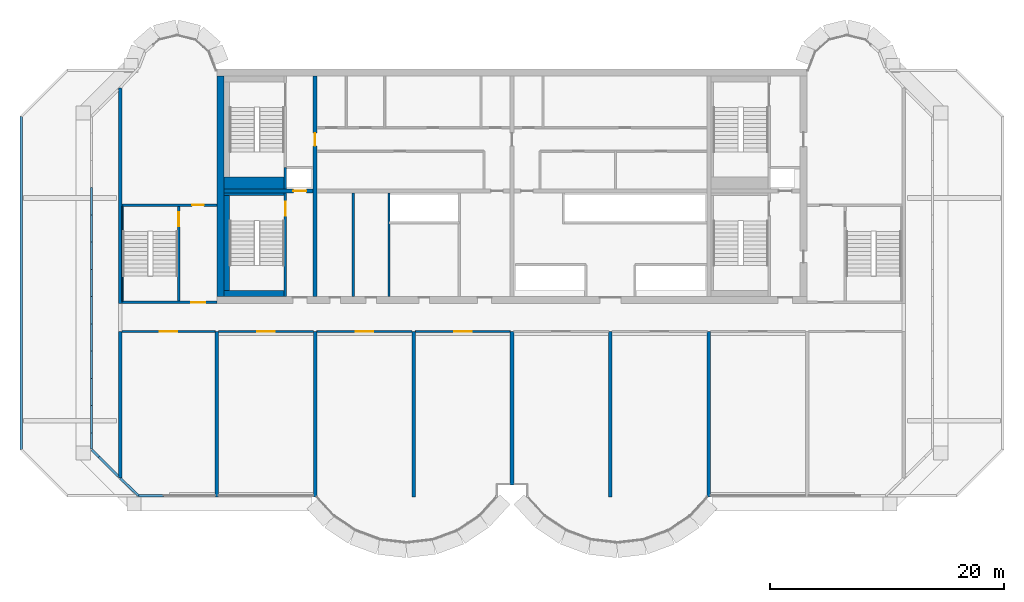
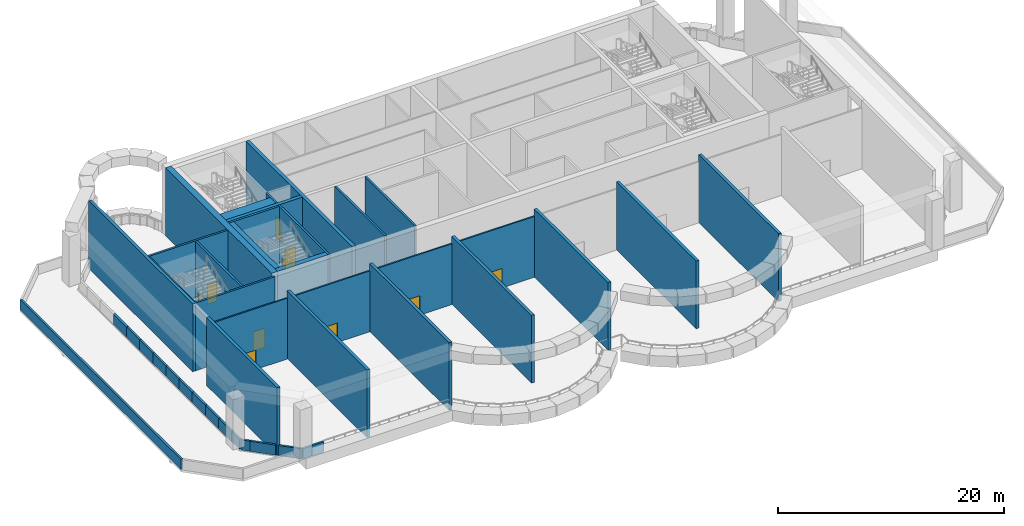
# One storey, part 2 of 11: 42 walls, 10 doors, 10 openings.
"""IFC4 building model written with IfcOpenShell, lengths in metres."""

from ifc_helpers import new_model, si_unit, direction, frame, frame_2d, origin, place, context, subcontext, project, spatial, rectangle, extrude, source, transform, mapped, material, layer, layer_set, type_object, element, fill, save


model = new_model("IFC4")

# Units and contexts
model_context = context("Model", 3, precision=1e-05, world=origin(), true_north=direction((0.0, 1.0)))
body_context = subcontext(model_context, "Body", "Model", "MODEL_VIEW")
ifc_project = project(units=[si_unit("LENGTHUNIT", "METRE"), si_unit("AREAUNIT", "SQUARE_METRE"), si_unit("VOLUMEUNIT", "CUBIC_METRE"), si_unit("PLANEANGLEUNIT", "RADIAN"), si_unit("MASSUNIT", "GRAM", prefix="KILO")], contexts=[model_context])

# Site, building, storey
site_placement = place(None, origin())
site = spatial("IfcSite", under=ifc_project, at=site_placement, CompositionType="ELEMENT")
building_placement = place(site_placement, origin())
building = spatial("IfcBuilding", under=site, at=building_placement, Name="Vanashikhar Sky Hotel", CompositionType="ELEMENT")
storey_placement = place(building_placement, frame((0.0, 0.0, 206.39990234375)))
storey = spatial("IfcBuildingStorey", under=building, at=storey_placement, Name="L50", CompositionType="ELEMENT", Elevation=206.39990234375)

# Wall
ifc_material_1 = material(Name="Concrete M60", Category="concrete")
ifc_layer_1 = layer(ifc_material_1, 0.60009765625)
ifc_layer_set_1 = layer_set([ifc_layer_1], Name="RC core shell wall 600 Concrete M60")
wall_type_1 = type_object("IfcWallType", Name="RC core shell wall 600 Concrete M60", PredefinedType="SHEAR", material=ifc_layer_set_1)
shared_shape_1 = source(origin(), body_context, "Body", "SweptSolid", [
    extrude(rectangle(XDim=18.7998046875, YDim=0.60009765625, at=frame_2d((9.39990234375, 0.0))), origin(), (0.0, 0.0, 1.0), 7.320068359375),
])
wall_1_placement = place(storey_placement, frame((25.5, 22.60009765625, 0.0), z_axis=(0.0, 0.0, 1.0), x_axis=(0.0, 1.0, 0.0)))
element("IfcWall", 1, at=wall_1_placement, inside=storey, type_object=wall_type_1, Name="KW-L50-KW", PredefinedType="SHEAR", context=body_context, shape_type="MappedRepresentation", body=[
    mapped(shared_shape_1, transform((0.0, 0.0, 0.0), scale=1.0)),
])

# Wall, opening, door
ifc_layer_2 = layer(ifc_material_1, 0.35009765625)
ifc_layer_set_2 = layer_set([ifc_layer_2], Name="RC core inner wall 350 Concrete M60")
wall_type_2 = type_object("IfcWallType", Name="RC core inner wall 350 Concrete M60", PredefinedType="SHEAR", material=ifc_layer_set_2)
shared_shape_2 = source(origin(), body_context, "Body", "SweptSolid", [
    extrude(rectangle(XDim=18.7998046875, YDim=0.35009765625, at=frame_2d((9.39990234375, 0.0))), origin(), (0.0, 0.0, 1.0), 7.320068359375),
])
wall_2_placement = place(storey_placement, frame((33.60009765625, 22.60009765625, 0.0), z_axis=(0.0, 0.0, 1.0), x_axis=(0.0, 1.0, 0.0)))
wall_2 = element("IfcWall", 2, at=wall_2_placement, inside=storey, type_object=wall_type_2, Name="KW-L50-KX1", PredefinedType="SHEAR", context=body_context, shape_type="MappedRepresentation", body=[
    mapped(shared_shape_2, transform((0.0, 0.0, 0.0), scale=1.0)),
])
shared_shape_3 = source(origin(), body_context, "Body", "SweptSolid", [
    extrude(rectangle(XDim=1.10009765625, YDim=2.10009765625, at=frame_2d((0.550048828125, 1.050048828125))), frame((0.0, 0.18505859375, 0.0), z_axis=(0.0, -1.0, 0.0), x_axis=(1.0, 0.0, 0.0)), (0.0, 0.0, 1.0), 0.3701171875),
])
opening_1_placement = place(wall_2_placement, frame((12.85009765625, 0.0, 0.0)))
opening_1 = element("IfcOpeningElement", 3, at=opening_1_placement, cuts=wall_2, Name="Opening DC-4-C", PredefinedType="OPENING", context=body_context, shape_type="MappedRepresentation", body=[
    mapped(shared_shape_3, transform((0.0, 0.0, 0.0), scale=1.0)),
])
ifc_material_2 = material(Name="Steel", Category="steel")
door_type_1 = type_object("IfcDoorType", Name="Service door 1100 FD60", OperationType="NOTDEFINED", PredefinedType="DOOR", material=ifc_material_2)
shared_shape_4 = source(origin(), body_context, "Body", "SweptSolid", [
    extrude(rectangle(XDim=1.10009765625, YDim=2.10009765625, at=frame_2d((0.550048828125, 1.050048828125))), frame((0.0, 0.02490234375, 0.0), z_axis=(0.0, -1.0, 0.0), x_axis=(1.0, 0.0, 0.0)), (0.0, 0.0, 1.0), 0.050048828125),
])
door_1_placement = place(opening_1_placement, origin())
door_1 = element("IfcDoor", 4, at=door_1_placement, inside=storey, type_object=door_type_1, Name="Service door 1100 FD60", OperationType="SINGLE_SWING_LEFT", OverallHeight=2.10009765625, OverallWidth=1.10009765625, PredefinedType="DOOR", context=body_context, shape_type="MappedRepresentation", body=[
    mapped(shared_shape_4, transform((0.0, 0.0, 0.0), scale=1.0)),
])
fill(opening_1, door_1)

shared_shape_5 = source(origin(), body_context, "Body", "SweptSolid", [
    extrude(rectangle(XDim=7.625, YDim=0.35009765625, at=frame_2d((3.8125, 0.0))), origin(), (0.0, 0.0, 1.0), 7.320068359375),
])
wall_3_placement = place(storey_placement, frame((25.800048828125, 31.60009765625, 0.0), z_axis=(0.0, 0.0, 1.0), x_axis=(1.0, 0.0, 0.0)))
wall_3 = element("IfcWall", 5, at=wall_3_placement, inside=storey, type_object=wall_type_2, Name="KW-L50-KY1", PredefinedType="SHEAR", context=body_context, shape_type="MappedRepresentation", body=[
    mapped(shared_shape_5, transform((0.0, 0.0, 0.0), scale=1.0)),
])
opening_2_placement = place(wall_3_placement, frame((5.93798828125, 0.0, 0.0)))
opening_2 = element("IfcOpeningElement", 6, at=opening_2_placement, cuts=wall_3, Name="Opening LD", PredefinedType="OPENING", context=body_context, shape_type="MappedRepresentation", body=[
    mapped(shared_shape_3, transform((0.0, 0.0, 0.0), scale=1.0)),
])
ifc_material_3 = material(Name="Stainless steel", Category="steel")
door_type_2 = type_object("IfcDoorType", Name="Lift landing door 1100", OperationType="NOTDEFINED", PredefinedType="DOOR", material=ifc_material_3)
door_2_placement = place(opening_2_placement, origin())
door_2 = element("IfcDoor", 7, at=door_2_placement, inside=storey, type_object=door_type_2, Name="Lift landing door 1100", OperationType="SLIDING_TO_LEFT", OverallHeight=2.10009765625, OverallWidth=1.10009765625, PredefinedType="DOOR", context=body_context, shape_type="MappedRepresentation", body=[
    mapped(shared_shape_4, transform((0.0, 0.0, 0.0), scale=1.0)),
])
fill(opening_2, door_2)

# Walls
ifc_layer_3 = layer(ifc_material_1, 0.300048828125)
ifc_layer_set_3 = layer_set([ifc_layer_3], Name="RC shear wall 300 Concrete M60")
wall_type_3 = type_object("IfcWallType", Name="RC shear wall 300 Concrete M60", PredefinedType="SHEAR", material=ifc_layer_set_3)
shared_shape_6 = source(origin(), body_context, "Body", "SweptSolid", [
    extrude(rectangle(XDim=12.5, YDim=0.300048828125, at=frame_2d((6.25, 0.0))), origin(), (0.0, 0.0, 1.0), 7.320068359375),
])
wall_4_placement = place(storey_placement, frame((16.949951171875, 7.10009765625, 0.0), z_axis=(0.0, 0.0, 1.0), x_axis=(0.0, 1.0, 0.0)))
element("IfcWall", 8, at=wall_4_placement, inside=storey, type_object=wall_type_3, Name="CW-L50-XW03-1", PredefinedType="SHEAR", context=body_context, shape_type="MappedRepresentation", body=[
    mapped(shared_shape_6, transform((0.0, 0.0, 0.0), scale=1.0)),
])
shared_shape_7 = source(origin(), body_context, "Body", "SweptSolid", [
    extrude(rectangle(XDim=18.39990234375, YDim=0.300048828125, at=frame_2d((9.199951171875, 0.0))), origin(), (0.0, 0.0, 1.0), 7.320068359375),
])
wall_5_placement = place(storey_placement, frame((16.949951171875, 22.0, 0.0), z_axis=(0.0, 0.0, 1.0), x_axis=(0.0, 1.0, 0.0)))
element("IfcWall", 9, at=wall_5_placement, inside=storey, type_object=wall_type_3, Name="CW-L50-XW03-2", PredefinedType="SHEAR", context=body_context, shape_type="MappedRepresentation", body=[
    mapped(shared_shape_7, transform((0.0, 0.0, 0.0), scale=1.0)),
])
shared_shape_8 = source(origin(), body_context, "Body", "SweptSolid", [
    extrude(rectangle(XDim=14.10009765625, YDim=0.300048828125, at=frame_2d((7.050048828125, 0.0))), origin(), (0.0, 0.0, 1.0), 7.320068359375),
])
for number, where, z_axis, x_axis, name in (
    (10, (25.199951171875, 5.5, 0.0), (0.0, 0.0, 1.0), (0.0, 1.0, 0.0), "CW-L50-XW04-1"),
    (11, (33.60009765625, 5.5, 0.0), (0.0, 0.0, 1.0), (0.0, 1.0, 0.0), "CW-L50-XW05-1"),
    (12, (42.0, 5.5, 0.0), (0.0, 0.0, 1.0), (0.0, 1.0, 0.0), "CW-L50-XW06-1"),
    (13, (58.800048828125, 5.5, 0.0), (0.0, 0.0, 1.0), (0.0, 1.0, 0.0), "CW-L50-XW08-1"),
    (14, (67.199951171875, 5.5, 0.0), (0.0, 0.0, 1.0), (0.0, 1.0, 0.0), "CW-L50-XW09-1"),
):
    element("IfcWall", number, at=place(storey_placement, frame(where, z_axis=z_axis, x_axis=x_axis)), inside=storey, type_object=wall_type_3, Name=name, PredefinedType="SHEAR", context=body_context, shape_type="MappedRepresentation", body=[
        mapped(shared_shape_8, transform((0.0, 0.0, 0.0), scale=1.0)),
    ])
shared_shape_9 = source(origin(), body_context, "Body", "SweptSolid", [
    extrude(rectangle(XDim=13.10009765625, YDim=0.300048828125, at=frame_2d((6.550048828125, 0.0))), origin(), (0.0, 0.0, 1.0), 7.320068359375),
])
wall_6_placement = place(storey_placement, frame((50.39990234375, 6.5, 0.0), z_axis=(0.0, 0.0, 1.0), x_axis=(0.0, 1.0, 0.0)))
element("IfcWall", 15, at=wall_6_placement, inside=storey, type_object=wall_type_3, Name="CW-L50-XW07-1", PredefinedType="SHEAR", context=body_context, shape_type="MappedRepresentation", body=[
    mapped(shared_shape_9, transform((0.0, 0.0, 0.0), scale=1.0)),
])
ifc_material_4 = material(Name="Concrete M50", Category="concrete")
ifc_layer_4 = layer(ifc_material_4, 0.199951171875)
ifc_layer_set_4 = layer_set([ifc_layer_4], Name="Parapet 200")
wall_type_4 = type_object("IfcWallType", Name="Parapet 200", PredefinedType="PARAPET", material=ifc_layer_set_4)
shared_shape_10 = source(origin(), body_context, "Body", "SweptSolid", [
    extrude(rectangle(XDim=2.32421875, YDim=0.199951171875, at=frame_2d((1.162109375, 0.0))), origin(), (0.0, 0.0, 1.0), 1.10009765625),
])
for number, where, z_axis, x_axis, name in (
    (16, (16.780029296875, 7.261474609375, 0.0), (0.0, 0.0, 1.0), (-0.707106781187, 0.707106781187, 0.0), "Floor edge parapet"),
    (17, (14.5, 13.290283203125, 0.0), (0.0, 0.0, 1.0), (0.0, 1.0, 0.0), "Floor edge parapet"),
    (18, (14.5, 22.587890625, 0.0), (0.0, 0.0, 1.0), (0.0, 1.0, 0.0), "Floor edge parapet"),
):
    element("IfcWall", number, at=place(storey_placement, frame(where, z_axis=z_axis, x_axis=x_axis)), inside=storey, type_object=wall_type_4, Name=name, PredefinedType="PARAPET", context=body_context, shape_type="MappedRepresentation", body=[
        mapped(shared_shape_10, transform((0.0, 0.0, 0.0), scale=1.0)),
    ])
shared_shape_11 = source(origin(), body_context, "Body", "SweptSolid", [
    extrude(rectangle(XDim=0.858642578125, YDim=0.199951171875, at=frame_2d((0.42919921875, 0.0))), origin(), (0.0, 0.0, 1.0), 1.10009765625),
])
wall_7_placement = place(storey_placement, frame((15.136474609375, 8.905029296875, 0.0), z_axis=(0.0, 0.0, 1.0), x_axis=(-0.707106781187, 0.707106781187, 0.0)))
element("IfcWall", 19, at=wall_7_placement, inside=storey, type_object=wall_type_4, Name="Floor edge parapet", PredefinedType="PARAPET", context=body_context, shape_type="MappedRepresentation", body=[
    mapped(shared_shape_11, transform((0.0, 0.0, 0.0), scale=1.0)),
])
shared_shape_12 = source(origin(), body_context, "Body", "SweptSolid", [
    extrude(rectangle(XDim=1.383056640625, YDim=0.199951171875, at=frame_2d((0.69140625, 0.0))), origin(), (0.0, 0.0, 1.0), 1.10009765625),
])
wall_8_placement = place(storey_placement, frame((14.5, 9.582763671875, 0.0), z_axis=(0.0, 0.0, 1.0), x_axis=(0.0, 1.0, 0.0)))
element("IfcWall", 20, at=wall_8_placement, inside=storey, type_object=wall_type_4, Name="Floor edge parapet", PredefinedType="PARAPET", context=body_context, shape_type="MappedRepresentation", body=[
    mapped(shared_shape_12, transform((0.0, 0.0, 0.0), scale=1.0)),
])
shared_shape_13 = source(origin(), body_context, "Body", "SweptSolid", [
    extrude(rectangle(XDim=2.324462890625, YDim=0.199951171875, at=frame_2d((1.162109375, 0.0))), origin(), (0.0, 0.0, 1.0), 1.10009765625),
])
for number, where, z_axis, x_axis, name in (
    (21, (14.5, 10.9658203125, 0.0), (0.0, 0.0, 1.0), (0.0, 1.0, 0.0), "Floor edge parapet"),
    (22, (14.5, 15.614501953125, 0.0), (0.0, 0.0, 1.0), (0.0, 1.0, 0.0), "Floor edge parapet"),
    (23, (14.5, 17.93896484375, 0.0), (0.0, 0.0, 1.0), (0.0, 1.0, 0.0), "Floor edge parapet"),
    (24, (14.5, 20.263427734375, 0.0), (0.0, 0.0, 1.0), (0.0, 1.0, 0.0), "Floor edge parapet"),
    (25, (14.5, 24.912109375, 0.0), (0.0, 0.0, 1.0), (0.0, 1.0, 0.0), "Floor edge parapet"),
    (26, (14.5, 27.236572265625, 0.0), (0.0, 0.0, 1.0), (0.0, 1.0, 0.0), "Floor edge parapet"),
    (27, (14.5, 29.56103515625, 0.0), (0.0, 0.0, 1.0), (0.0, 1.0, 0.0), "Floor edge parapet"),
):
    element("IfcWall", number, at=place(storey_placement, frame(where, z_axis=z_axis, x_axis=x_axis)), inside=storey, type_object=wall_type_4, Name=name, PredefinedType="PARAPET", context=body_context, shape_type="MappedRepresentation", body=[
        mapped(shared_shape_13, transform((0.0, 0.0, 0.0), scale=1.0)),
    ])
shared_shape_14 = source(origin(), body_context, "Body", "SweptSolid", [
    extrude(rectangle(XDim=2.17041015625, YDim=0.199951171875, at=frame_2d((1.085205078125, 0.0))), origin(), (0.0, 0.0, 1.0), 1.10009765625),
])
wall_9_placement = place(storey_placement, frame((20.689208984375, 5.60009765625, 0.0), z_axis=(0.0, 0.0, 1.0), x_axis=(-1.0, 0.0, 0.0)))
element("IfcWall", 28, at=wall_9_placement, inside=storey, type_object=wall_type_4, Name="Floor edge parapet", PredefinedType="PARAPET", context=body_context, shape_type="MappedRepresentation", body=[
    mapped(shared_shape_14, transform((0.0, 0.0, 0.0), scale=1.0)),
])
shared_shape_15 = source(origin(), body_context, "Body", "SweptSolid", [
    extrude(rectangle(XDim=2.1484375, YDim=0.199951171875, at=frame_2d((1.07421875, 0.0))), origin(), (0.0, 0.0, 1.0), 1.10009765625),
])
wall_10_placement = place(storey_placement, frame((18.518798828125, 5.60009765625, 0.0), z_axis=(0.0, 0.0, 1.0), x_axis=(-0.724888774008, 0.688865926953, 0.0)))
element("IfcWall", 29, at=wall_10_placement, inside=storey, type_object=wall_type_4, Name="Floor edge parapet", PredefinedType="PARAPET", context=body_context, shape_type="MappedRepresentation", body=[
    mapped(shared_shape_15, transform((0.0, 0.0, 0.0), scale=1.0)),
])
shared_shape_16 = source(origin(), body_context, "Body", "SweptSolid", [
    extrude(rectangle(XDim=28.4150390625, YDim=0.199951171875, at=frame_2d((14.20751953125, 0.0))), origin(), (0.0, 0.0, 1.0), 1.099853515625),
])
wall_11_placement = place(storey_placement, frame((8.501953125, 9.54248046875, -0.0498046875), z_axis=(0.0, 0.0, 1.0), x_axis=(0.0, 1.0, 0.0)))
element("IfcWall", 30, at=wall_11_placement, inside=storey, type_object=wall_type_4, Name="Roof parapet", PredefinedType="PARAPET", context=body_context, shape_type="MappedRepresentation", body=[
    mapped(shared_shape_16, transform((0.0, 0.0, 0.0), scale=1.0)),
])
ifc_material_5 = material(Name="Gypsum board partition")
ifc_layer_5 = layer(ifc_material_5, 0.14990234375)
ifc_layer_set_5 = layer_set([ifc_layer_5], Name="Service partition 150")
wall_type_5 = type_object("IfcWallType", Name="Service partition 150", PredefinedType="PARTITIONING", material=ifc_layer_set_5)
shared_shape_17 = source(origin(), body_context, "Body", "SweptSolid", [
    extrude(rectangle(XDim=8.824951171875, YDim=0.199951171875, at=frame_2d((4.41259765625, 0.0))), origin(), (0.0, 0.0, 1.0), 7.320068359375),
])
for number, where, z_axis, x_axis, name in (
    (31, (39.89990234375, 22.60009765625, 0.0), (0.0, 0.0, 1.0), (0.0, 1.0, 0.0), "Service partition 150"),
    (32, (36.8369140625, 22.60009765625, 0.0), (0.0, 0.0, 1.0), (0.0, 1.0, 0.0), "Service partition 150"),
):
    element("IfcWall", number, at=place(storey_placement, frame(where, z_axis=z_axis, x_axis=x_axis)), inside=storey, type_object=wall_type_5, Name=name, PredefinedType="PARTITIONING", context=body_context, shape_type="MappedRepresentation", body=[
        mapped(shared_shape_17, transform((0.0, 0.0, 0.0), scale=1.0)),
    ])

# Wall, opening, door
ifc_layer_6 = layer(ifc_material_4, 0.199951171875)
ifc_layer_set_6 = layer_set([ifc_layer_6], Name="Stair wall 200")
wall_type_6 = type_object("IfcWallType", Name="Stair wall 200", PredefinedType="SOLIDWALL", material=ifc_layer_set_6)
shared_shape_18 = source(origin(), body_context, "Body", "SweptSolid", [
    extrude(rectangle(XDim=8.824951171875, YDim=0.199951171875, at=frame_2d((4.41259765625, 0.0))), origin(), (0.0, 0.0, 1.0), 7.320068359375),
])
wall_12_placement = place(storey_placement, frame((31.050048828125, 22.60009765625, 0.0), z_axis=(0.0, 0.0, 1.0), x_axis=(0.0, 1.0, 0.0)))
wall_12 = element("IfcWall", 33, at=wall_12_placement, inside=storey, type_object=wall_type_6, Name="Stair wall 200", PredefinedType="SOLIDWALL", context=body_context, shape_type="MappedRepresentation", body=[
    mapped(shared_shape_18, transform((0.0, 0.0, 0.0), scale=1.0)),
])
shared_shape_19 = source(origin(), body_context, "Body", "SweptSolid", [
    extrude(rectangle(XDim=1.199951171875, YDim=2.10009765625, at=frame_2d((0.60009765625, 1.050048828125))), frame((0.0, 0.10986328125, 0.0), z_axis=(0.0, -1.0, 0.0), x_axis=(1.0, 0.0, 0.0)), (0.0, 0.0, 1.0), 0.219970703125),
])
opening_3_placement = place(wall_12_placement, frame((6.89990234375, 0.0, 0.0)))
opening_3 = element("IfcOpeningElement", 34, at=opening_3_placement, cuts=wall_12, Name="Opening DC-1", PredefinedType="OPENING", context=body_context, shape_type="MappedRepresentation", body=[
    mapped(shared_shape_19, transform((0.0, 0.0, 0.0), scale=1.0)),
])
door_type_3 = type_object("IfcDoorType", Name="Stair door 1200 FD120", OperationType="NOTDEFINED", PredefinedType="DOOR", material=ifc_material_2)
shared_shape_20 = source(origin(), body_context, "Body", "SweptSolid", [
    extrude(rectangle(XDim=1.199951171875, YDim=2.10009765625, at=frame_2d((0.60009765625, 1.050048828125))), frame((0.0, 0.02490234375, 0.0), z_axis=(0.0, -1.0, 0.0), x_axis=(1.0, 0.0, 0.0)), (0.0, 0.0, 1.0), 0.050048828125),
])
door_3_placement = place(opening_3_placement, origin())
door_3 = element("IfcDoor", 35, at=door_3_placement, inside=storey, type_object=door_type_3, Name="Stair door 1200 FD120", OperationType="SINGLE_SWING_RIGHT", OverallHeight=2.10009765625, OverallWidth=1.199951171875, PredefinedType="DOOR", context=body_context, shape_type="MappedRepresentation", body=[
    mapped(shared_shape_20, transform((0.0, 0.0, 0.0), scale=1.0)),
])
fill(opening_3, door_3)

# Wall
ifc_material_6 = material(Name="Concrete M40", Category="concrete")
ifc_layer_7 = layer(ifc_material_6, 0.199951171875)
ifc_layer_set_7 = layer_set([ifc_layer_7], Name="Shaft wall 200")
wall_type_7 = type_object("IfcWallType", Name="Shaft wall 200", PredefinedType="SOLIDWALL", material=ifc_layer_set_7)
shared_shape_21 = source(origin(), body_context, "Body", "SweptSolid", [
    extrude(rectangle(XDim=1.8251953125, YDim=0.199951171875, at=frame_2d((0.91259765625, 0.0))), origin(), (0.0, 0.0, 1.0), 7.320068359375),
])
wall_13_placement = place(storey_placement, frame((31.050048828125, 31.77490234375, 0.0), z_axis=(0.0, 0.0, 1.0), x_axis=(0.0, 1.0, 0.0)))
element("IfcWall", 36, at=wall_13_placement, inside=storey, type_object=wall_type_7, Name="Shaft wall 200", PredefinedType="SOLIDWALL", context=body_context, shape_type="MappedRepresentation", body=[
    mapped(shared_shape_21, transform((0.0, 0.0, 0.0), scale=1.0)),
])

# Wall, opening, door
shared_shape_22 = source(origin(), body_context, "Body", "SweptSolid", [
    extrude(rectangle(XDim=8.2998046875, YDim=0.199951171875, at=frame_2d((4.14990234375, 0.0))), origin(), (0.0, 0.0, 1.0), 7.320068359375),
])
wall_14_placement = place(storey_placement, frame((21.949951171875, 22.10009765625, 0.0), z_axis=(0.0, 0.0, 1.0), x_axis=(0.0, 1.0, 0.0)))
wall_14 = element("IfcWall", 37, at=wall_14_placement, inside=storey, type_object=wall_type_6, Name="Stair wall 200", PredefinedType="SOLIDWALL", context=body_context, shape_type="MappedRepresentation", body=[
    mapped(shared_shape_22, transform((0.0, 0.0, 0.0), scale=1.0)),
])
opening_4_placement = place(wall_14_placement, frame((6.5, 0.0, 0.0)))
opening_4 = element("IfcOpeningElement", 38, at=opening_4_placement, cuts=wall_14, Name="Opening DC-1", PredefinedType="OPENING", context=body_context, shape_type="MappedRepresentation", body=[
    mapped(shared_shape_19, transform((0.0, 0.0, 0.0), scale=1.0)),
])
door_4_placement = place(opening_4_placement, origin())
door_4 = element("IfcDoor", 39, at=door_4_placement, inside=storey, type_object=door_type_3, Name="Stair door 1200 FD120", OperationType="SINGLE_SWING_LEFT", OverallHeight=2.10009765625, OverallWidth=1.199951171875, PredefinedType="DOOR", context=body_context, shape_type="MappedRepresentation", body=[
    mapped(shared_shape_20, transform((0.0, 0.0, 0.0), scale=1.0)),
])
fill(opening_4, door_4)

shared_shape_23 = source(origin(), body_context, "Body", "SweptSolid", [
    extrude(rectangle(XDim=8.099853515625, YDim=0.199951171875, at=frame_2d((4.0498046875, 0.0))), origin(), (0.0, 0.0, 1.0), 7.320068359375),
])
wall_15_placement = place(storey_placement, frame((17.10009765625, 22.10009765625, 0.0), z_axis=(0.0, 0.0, 1.0), x_axis=(1.0, 0.0, 0.0)))
wall_15 = element("IfcWall", 40, at=wall_15_placement, inside=storey, type_object=wall_type_6, Name="Stair wall 200", PredefinedType="SOLIDWALL", context=body_context, shape_type="MappedRepresentation", body=[
    mapped(shared_shape_23, transform((0.0, 0.0, 0.0), scale=1.0)),
])
opening_5_placement = place(wall_15_placement, frame((5.89990234375, 0.0, 0.0)))
opening_5 = element("IfcOpeningElement", 41, at=opening_5_placement, cuts=wall_15, Name="Opening DC-2", PredefinedType="OPENING", context=body_context, shape_type="MappedRepresentation", body=[
    mapped(shared_shape_19, transform((0.0, 0.0, 0.0), scale=1.0)),
])
door_type_4 = type_object("IfcDoorType", Name="Firefighting lobby door 1200 FD120", OperationType="NOTDEFINED", PredefinedType="DOOR", material=ifc_material_2)
door_5_placement = place(opening_5_placement, origin())
door_5 = element("IfcDoor", 42, at=door_5_placement, inside=storey, type_object=door_type_4, Name="Firefighting lobby door 1200 FD120", OperationType="SINGLE_SWING_LEFT", OverallHeight=2.10009765625, OverallWidth=1.199951171875, PredefinedType="DOOR", context=body_context, shape_type="MappedRepresentation", body=[
    mapped(shared_shape_20, transform((0.0, 0.0, 0.0), scale=1.0)),
])
fill(opening_5, door_5)

wall_16_placement = place(storey_placement, frame((17.10009765625, 30.39990234375, 0.0), z_axis=(0.0, 0.0, 1.0), x_axis=(1.0, 0.0, 0.0)))
wall_16 = element("IfcWall", 43, at=wall_16_placement, inside=storey, type_object=wall_type_6, Name="Stair wall 200", PredefinedType="SOLIDWALL", context=body_context, shape_type="MappedRepresentation", body=[
    mapped(shared_shape_23, transform((0.0, 0.0, 0.0), scale=1.0)),
])
shared_shape_24 = source(origin(), body_context, "Body", "SweptSolid", [
    extrude(rectangle(XDim=1.0, YDim=2.10009765625, at=frame_2d((0.5, 1.050048828125))), frame((0.0, 0.10986328125, 0.0), z_axis=(0.0, -1.0, 0.0), x_axis=(1.0, 0.0, 0.0)), (0.0, 0.0, 1.0), 0.219970703125),
])
opening_6_placement = place(wall_16_placement, frame((6.0, 0.0, 0.0)))
opening_6 = element("IfcOpeningElement", 44, at=opening_6_placement, cuts=wall_16, Name="Opening DC-6", PredefinedType="OPENING", context=body_context, shape_type="MappedRepresentation", body=[
    mapped(shared_shape_24, transform((0.0, 0.0, 0.0), scale=1.0)),
])
door_type_5 = type_object("IfcDoorType", Name="Pocket door 1000 FD60", OperationType="NOTDEFINED", PredefinedType="DOOR", material=ifc_material_2)
shared_shape_25 = source(origin(), body_context, "Body", "SweptSolid", [
    extrude(rectangle(XDim=1.0, YDim=2.10009765625, at=frame_2d((0.5, 1.050048828125))), frame((0.0, 0.02490234375, 0.0), z_axis=(0.0, -1.0, 0.0), x_axis=(1.0, 0.0, 0.0)), (0.0, 0.0, 1.0), 0.050048828125),
])
door_6_placement = place(opening_6_placement, origin())
door_6 = element("IfcDoor", 45, at=door_6_placement, inside=storey, type_object=door_type_5, Name="Pocket door 1000 FD60", OperationType="SINGLE_SWING_LEFT", OverallHeight=2.10009765625, OverallWidth=1.0, PredefinedType="DOOR", context=body_context, shape_type="MappedRepresentation", body=[
    mapped(shared_shape_25, transform((0.0, 0.0, 0.0), scale=1.0)),
])
fill(opening_6, door_6)

# Walls
ifc_layer_8 = layer(ifc_material_4, 0.5)
ifc_layer_set_8 = layer_set([ifc_layer_8], Name="Stair infill wall 500")
wall_type_8 = type_object("IfcWallType", Name="Stair infill wall 500", PredefinedType="SOLIDWALL", material=ifc_layer_set_8)
shared_shape_26 = source(origin(), body_context, "Body", "SweptSolid", [
    extrude(rectangle(XDim=5.14990234375, YDim=0.5, at=frame_2d((2.574951171875, 0.0))), origin(), (0.0, 0.0, 1.0), 7.320068359375),
])
wall_17_placement = place(storey_placement, frame((25.800048828125, 22.85009765625, 0.0), z_axis=(0.0, 0.0, 1.0), x_axis=(1.0, 0.0, 0.0)))
element("IfcWall", 46, at=wall_17_placement, inside=storey, type_object=wall_type_8, Name="Stair infill wall 500", PredefinedType="SOLIDWALL", context=body_context, shape_type="MappedRepresentation", body=[
    mapped(shared_shape_26, transform((0.0, 0.0, 0.0), scale=1.0)),
])
ifc_layer_9 = layer(ifc_material_4, 0.22509765625)
ifc_layer_set_9 = layer_set([ifc_layer_9], Name="Stair infill wall 225")
wall_type_9 = type_object("IfcWallType", Name="Stair infill wall 225", PredefinedType="SOLIDWALL", material=ifc_layer_set_9)
shared_shape_27 = source(origin(), body_context, "Body", "SweptSolid", [
    extrude(rectangle(XDim=5.14990234375, YDim=0.22509765625, at=frame_2d((2.574951171875, 0.0))), origin(), (0.0, 0.0, 1.0), 7.320068359375),
])
wall_18_placement = place(storey_placement, frame((25.800048828125, 31.31201171875, 0.0), z_axis=(0.0, 0.0, 1.0), x_axis=(1.0, 0.0, 0.0)))
element("IfcWall", 47, at=wall_18_placement, inside=storey, type_object=wall_type_9, Name="Stair infill wall 225", PredefinedType="SOLIDWALL", context=body_context, shape_type="MappedRepresentation", body=[
    mapped(shared_shape_27, transform((0.0, 0.0, 0.0), scale=1.0)),
])
shared_shape_28 = source(origin(), body_context, "Body", "SweptSolid", [
    extrude(rectangle(XDim=8.099853515625, YDim=0.5, at=frame_2d((4.0498046875, 0.0))), origin(), (0.0, 0.0, 1.0), 7.320068359375),
])
wall_19_placement = place(storey_placement, frame((26.050048828125, 23.10009765625, 0.0), z_axis=(0.0, 0.0, 1.0), x_axis=(0.0, 1.0, 0.0)))
element("IfcWall", 48, at=wall_19_placement, inside=storey, type_object=wall_type_8, Name="Stair infill wall 500", PredefinedType="SOLIDWALL", context=body_context, shape_type="MappedRepresentation", body=[
    mapped(shared_shape_28, transform((0.0, 0.0, 0.0), scale=1.0)),
])
ifc_layer_10 = layer(ifc_material_4, 0.10009765625)
ifc_layer_set_10 = layer_set([ifc_layer_10], Name="Stair infill wall 100")
wall_type_10 = type_object("IfcWallType", Name="Stair infill wall 100", PredefinedType="SOLIDWALL", material=ifc_layer_set_10)
shared_shape_29 = source(origin(), body_context, "Body", "SweptSolid", [
    extrude(rectangle(XDim=8.10009765625, YDim=0.10009765625, at=frame_2d((4.050048828125, 0.0))), origin(), (0.0, 0.0, 1.0), 7.320068359375),
])
wall_20_placement = place(storey_placement, frame((17.14990234375, 22.199951171875, 0.0), z_axis=(0.0, 0.0, 1.0), x_axis=(0.0, 1.0, 0.0)))
element("IfcWall", 49, at=wall_20_placement, inside=storey, type_object=wall_type_10, Name="Stair infill wall 100", PredefinedType="SOLIDWALL", context=body_context, shape_type="MappedRepresentation", body=[
    mapped(shared_shape_29, transform((0.0, 0.0, 0.0), scale=1.0)),
])
ifc_layer_11 = layer(ifc_material_4, 1.02490234375)
ifc_layer_set_11 = layer_set([ifc_layer_11], Name="Stair infill wall 1025")
wall_type_11 = type_object("IfcWallType", Name="Stair infill wall 1025", PredefinedType="SOLIDWALL", material=ifc_layer_set_11)
shared_shape_30 = source(origin(), body_context, "Body", "SweptSolid", [
    extrude(rectangle(XDim=5.14990234375, YDim=1.02490234375, at=frame_2d((2.574951171875, 0.0))), origin(), (0.0, 0.0, 1.0), 7.320068359375),
])
wall_21_placement = place(storey_placement, frame((25.800048828125, 32.287109375, 0.0), z_axis=(0.0, 0.0, 1.0), x_axis=(1.0, 0.0, 0.0)))
element("IfcWall", 50, at=wall_21_placement, inside=storey, type_object=wall_type_11, Name="Stair infill wall 1025", PredefinedType="SOLIDWALL", context=body_context, shape_type="MappedRepresentation", body=[
    mapped(shared_shape_30, transform((0.0, 0.0, 0.0), scale=1.0)),
])

# Wall, opening, door
shared_shape_31 = source(origin(), body_context, "Body", "SweptSolid", [
    extrude(rectangle(XDim=7.949951171875, YDim=0.14990234375, at=frame_2d((3.97509765625, 0.0))), origin(), (0.0, 0.0, 1.0), 6.570068359375),
])
wall_22_placement = place(storey_placement, frame((17.10009765625, 19.60009765625, 0.0), z_axis=(0.0, 0.0, 1.0), x_axis=(1.0, 0.0, 0.0)))
wall_22 = element("IfcWall", 51, at=wall_22_placement, inside=storey, type_object=wall_type_5, Name="Service partition 150", PredefinedType="PARTITIONING", context=body_context, shape_type="MappedRepresentation", body=[
    mapped(shared_shape_31, transform((0.0, 0.0, 0.0), scale=1.0)),
])
shared_shape_32 = source(origin(), body_context, "Body", "SweptSolid", [
    extrude(rectangle(XDim=1.5, YDim=2.10009765625, at=frame_2d((0.75, 1.050048828125))), frame((0.0, 0.0849609375, 0.0), z_axis=(0.0, -1.0, 0.0), x_axis=(1.0, 0.0, 0.0)), (0.0, 0.0, 1.0), 0.169921875),
])
opening_7_placement = place(wall_22_placement, frame((3.22509765625, 0.0, 0.0)))
opening_7 = element("IfcOpeningElement", 52, at=opening_7_placement, cuts=wall_22, Name="Opening DC-4-E", PredefinedType="OPENING", context=body_context, shape_type="MappedRepresentation", body=[
    mapped(shared_shape_32, transform((0.0, 0.0, 0.0), scale=1.0)),
])
door_type_6 = type_object("IfcDoorType", Name="Service door 1500 FD60", OperationType="NOTDEFINED", PredefinedType="DOOR", material=ifc_material_2)
shared_shape_33 = source(origin(), body_context, "Body", "SweptSolid", [
    extrude(rectangle(XDim=1.5, YDim=2.10009765625, at=frame_2d((0.75, 1.050048828125))), frame((0.0, 0.02490234375, 0.0), z_axis=(0.0, -1.0, 0.0), x_axis=(1.0, 0.0, 0.0)), (0.0, 0.0, 1.0), 0.050048828125),
])
door_7_placement = place(opening_7_placement, origin())
door_7 = element("IfcDoor", 53, at=door_7_placement, inside=storey, type_object=door_type_6, Name="Service door 1500 FD60", OperationType="SINGLE_SWING_RIGHT", OverallHeight=2.10009765625, OverallWidth=1.5, PredefinedType="DOOR", context=body_context, shape_type="MappedRepresentation", body=[
    mapped(shared_shape_33, transform((0.0, 0.0, 0.0), scale=1.0)),
])
fill(opening_7, door_7)

shared_shape_34 = source(origin(), body_context, "Body", "SweptSolid", [
    extrude(rectangle(XDim=8.099853515625, YDim=0.14990234375, at=frame_2d((4.0498046875, 0.0))), origin(), (0.0, 0.0, 1.0), 6.570068359375),
])
wall_23_placement = place(storey_placement, frame((25.35009765625, 19.60009765625, 0.0), z_axis=(0.0, 0.0, 1.0), x_axis=(1.0, 0.0, 0.0)))
wall_23 = element("IfcWall", 54, at=wall_23_placement, inside=storey, type_object=wall_type_5, Name="Service partition 150", PredefinedType="PARTITIONING", context=body_context, shape_type="MappedRepresentation", body=[
    mapped(shared_shape_34, transform((0.0, 0.0, 0.0), scale=1.0)),
])
opening_8_placement = place(wall_23_placement, frame((3.300048828125, 0.0, 0.0)))
opening_8 = element("IfcOpeningElement", 55, at=opening_8_placement, cuts=wall_23, Name="Opening DC-4-E", PredefinedType="OPENING", context=body_context, shape_type="MappedRepresentation", body=[
    mapped(shared_shape_32, transform((0.0, 0.0, 0.0), scale=1.0)),
])
door_8_placement = place(opening_8_placement, origin())
door_8 = element("IfcDoor", 56, at=door_8_placement, inside=storey, type_object=door_type_6, Name="Service door 1500 FD60", OperationType="SINGLE_SWING_RIGHT", OverallHeight=2.10009765625, OverallWidth=1.5, PredefinedType="DOOR", context=body_context, shape_type="MappedRepresentation", body=[
    mapped(shared_shape_33, transform((0.0, 0.0, 0.0), scale=1.0)),
])
fill(opening_8, door_8)

shared_shape_35 = source(origin(), body_context, "Body", "SweptSolid", [
    extrude(rectangle(XDim=8.10009765625, YDim=0.14990234375, at=frame_2d((4.050048828125, 0.0))), origin(), (0.0, 0.0, 1.0), 6.570068359375),
])
wall_24_placement = place(storey_placement, frame((33.75, 19.60009765625, 0.0), z_axis=(0.0, 0.0, 1.0), x_axis=(1.0, 0.0, 0.0)))
wall_24 = element("IfcWall", 57, at=wall_24_placement, inside=storey, type_object=wall_type_5, Name="Service partition 150", PredefinedType="PARTITIONING", context=body_context, shape_type="MappedRepresentation", body=[
    mapped(shared_shape_35, transform((0.0, 0.0, 0.0), scale=1.0)),
])
opening_9_placement = place(wall_24_placement, frame((3.300048828125, 0.0, 0.0)))
opening_9 = element("IfcOpeningElement", 58, at=opening_9_placement, cuts=wall_24, Name="Opening DC-4-E", PredefinedType="OPENING", context=body_context, shape_type="MappedRepresentation", body=[
    mapped(shared_shape_32, transform((0.0, 0.0, 0.0), scale=1.0)),
])
door_9_placement = place(opening_9_placement, origin())
door_9 = element("IfcDoor", 59, at=door_9_placement, inside=storey, type_object=door_type_6, Name="Service door 1500 FD60", OperationType="SINGLE_SWING_LEFT", OverallHeight=2.10009765625, OverallWidth=1.5, PredefinedType="DOOR", context=body_context, shape_type="MappedRepresentation", body=[
    mapped(shared_shape_33, transform((0.0, 0.0, 0.0), scale=1.0)),
])
fill(opening_9, door_9)

wall_25_placement = place(storey_placement, frame((42.14990234375, 19.60009765625, 0.0), z_axis=(0.0, 0.0, 1.0), x_axis=(1.0, 0.0, 0.0)))
wall_25 = element("IfcWall", 60, at=wall_25_placement, inside=storey, type_object=wall_type_5, Name="Service partition 150", PredefinedType="PARTITIONING", context=body_context, shape_type="MappedRepresentation", body=[
    mapped(shared_shape_35, transform((0.0, 0.0, 0.0), scale=1.0)),
])
opening_10_placement = place(wall_25_placement, frame((3.300048828125, 0.0, 0.0)))
opening_10 = element("IfcOpeningElement", 61, at=opening_10_placement, cuts=wall_25, Name="Opening DC-4-E", PredefinedType="OPENING", context=body_context, shape_type="MappedRepresentation", body=[
    mapped(shared_shape_32, transform((0.0, 0.0, 0.0), scale=1.0)),
])
door_10_placement = place(opening_10_placement, origin())
door_10 = element("IfcDoor", 62, at=door_10_placement, inside=storey, type_object=door_type_6, Name="Service door 1500 FD60", OperationType="SINGLE_SWING_RIGHT", OverallHeight=2.10009765625, OverallWidth=1.5, PredefinedType="DOOR", context=body_context, shape_type="MappedRepresentation", body=[
    mapped(shared_shape_33, transform((0.0, 0.0, 0.0), scale=1.0)),
])
fill(opening_10, door_10)

save(model, "model.ifc")
